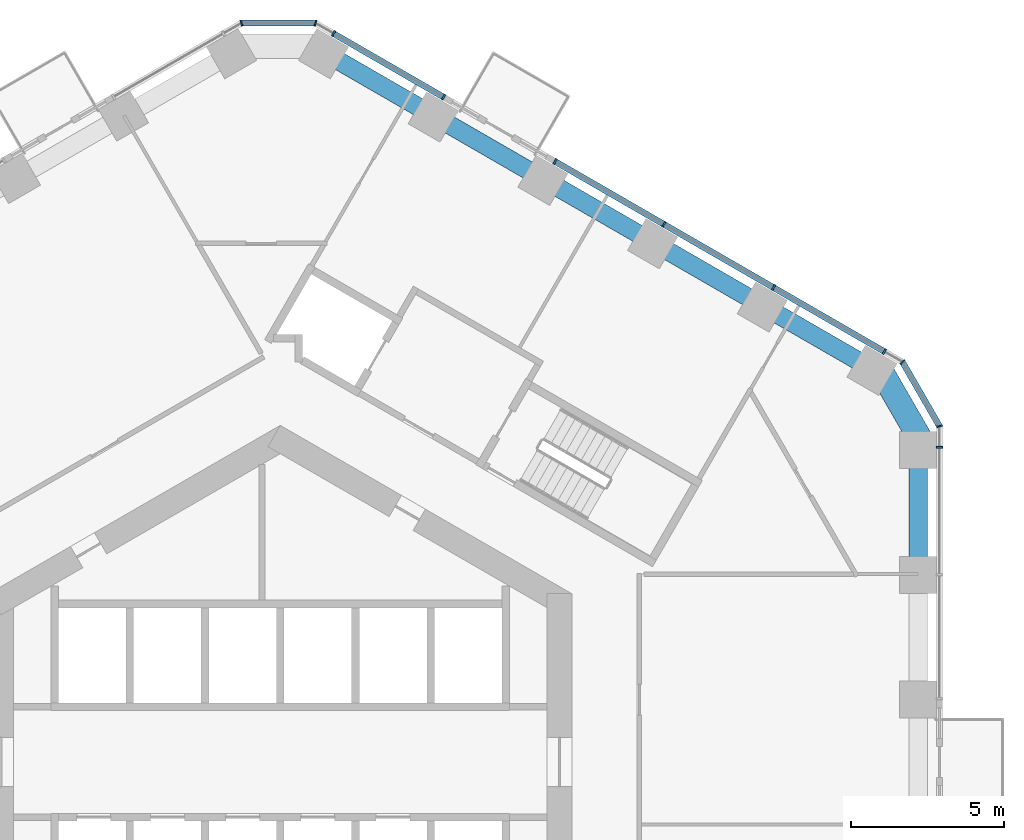
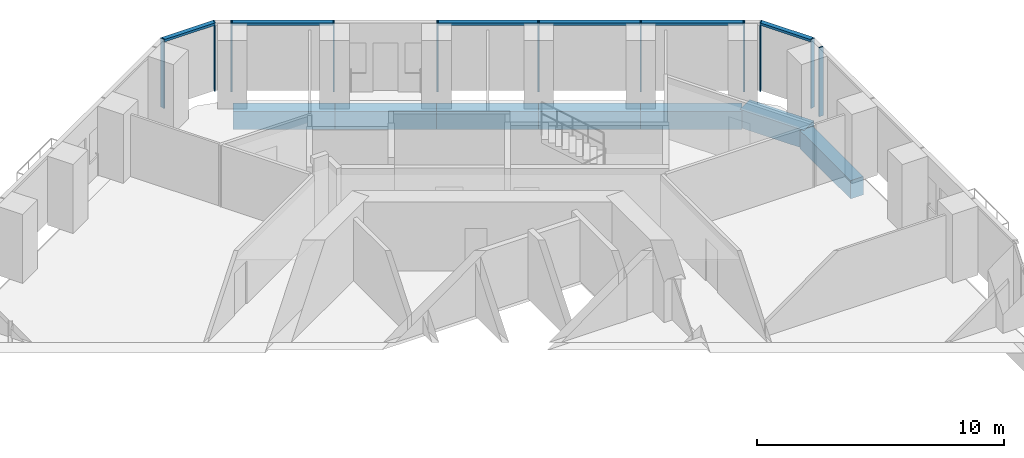
# One storey, part 7 of 20: 15 members, 7 beams, 5 elements without a shape of their own.
"""IFC4 building model written with IfcOpenShell, lengths in metres."""

import ifcopenshell
import ifcopenshell.guid

model = None  # the IFC model being written
_history = None  # IfcOwnerHistory: only IFC2X3 demands one
_inside = {}  # id of a spatial element -> (the spatial element, [elements in it])
_under = {}  # id of a project, library or spatial element -> (it, [spatial elements below it])
_declared = {}  # id of a project -> (the project, [libraries it declares])
_typed = {}  # id of a type object -> (the type object, [elements of that type])
_made_of = {}  # id of a material, layer set ... -> (it, [elements and type objects made of it])


def new_model(schema):
    """Start an empty IFC model of exactly this schema.

    Asked for "IFC4X3", IfcOpenShell would pick the latest addendum, in which some entities
    have other attributes; the version numbers below select the first issue.
    IFC2X3 requires an IfcOwnerHistory on every rooted entity: one is made here for all.
    """
    global model, _history
    if schema == "IFC4X3":
        model = ifcopenshell.file(schema_version=(4, 3, 0, 0))
    else:
        model = ifcopenshell.file(schema=schema)
    _inside.clear()
    _under.clear()
    _declared.clear()
    _typed.clear()
    _made_of.clear()
    _history = None
    if model.schema == "IFC2X3":
        org = make("IfcOrganization", Name="unknown")
        user = make(
            "IfcPersonAndOrganization",
            ThePerson=make("IfcPerson", FamilyName="unknown"),
            TheOrganization=org,
        )
        app = make(
            "IfcApplication",
            ApplicationDeveloper=org,
            Version="unknown",
            ApplicationFullName="unknown",
            ApplicationIdentifier="unknown",
        )
        _history = make(
            "IfcOwnerHistory",
            OwningUser=user,
            OwningApplication=app,
            ChangeAction="ADDED",
            CreationDate=0,
        )
    return model


def make(cls, **values):
    """One entity of the class cls with the attributes given. An attribute that is None is left unset."""
    return model.create_entity(
        cls, **{name: value for name, value in values.items() if value is not None}
    )


def rooted(cls, **values):
    """An entity with a GlobalId (a new one), such as an element, a storey or a relation."""
    return make(cls, GlobalId=ifcopenshell.guid.new(), OwnerHistory=_history, **values)


def si_unit(unit_type, name, prefix=None):
    """IfcSIUnit, for example si_unit("LENGTHUNIT", "METRE", prefix="MILLI")."""
    return make("IfcSIUnit", UnitType=unit_type, Prefix=prefix, Name=name)


def assignment(units):
    """IfcUnitAssignment: the units of a project."""
    return None if units is None else make("IfcUnitAssignment", Units=units)


def point(xyz):
    """IfcCartesianPoint."""
    return None if xyz is None else make("IfcCartesianPoint", Coordinates=xyz)


def direction(xyz):
    """IfcDirection."""
    return None if xyz is None else make("IfcDirection", DirectionRatios=xyz)


def frame(location, z_axis=None, x_axis=None):
    """IfcAxis2Placement3D, a coordinate frame: its origin and axes. An axis left out is left unset."""
    return make(
        "IfcAxis2Placement3D",
        Location=point(location),
        Axis=direction(z_axis),
        RefDirection=direction(x_axis),
    )


def frame_2d(location, x_axis=None):
    """IfcAxis2Placement2D, a coordinate frame in the plane: its origin and x axis."""
    return make(
        "IfcAxis2Placement2D", Location=point(location), RefDirection=direction(x_axis)
    )


def origin():
    """The frame at (0, 0, 0) with its axes left unset."""
    return frame((0.0, 0.0, 0.0))


def origin_2d():
    """The frame at (0, 0) in the plane with its x axis left unset."""
    return frame_2d((0.0, 0.0))


def place(relative_to, where):
    """IfcLocalPlacement: puts the frame where relative to a parent placement (None: the world)."""
    return make(
        "IfcLocalPlacement", PlacementRelTo=relative_to, RelativePlacement=where
    )


def context(
    kind, dimensions, precision=None, world=None, true_north=None, identifier=None
):
    """IfcGeometricRepresentationContext, for example the 3D "Model" context."""
    return make(
        "IfcGeometricRepresentationContext",
        ContextIdentifier=identifier,
        ContextType=kind,
        CoordinateSpaceDimension=dimensions,
        Precision=precision,
        WorldCoordinateSystem=world,
        TrueNorth=true_north,
    )


def subcontext(parent, identifier, kind, view, scale=None):
    """IfcGeometricRepresentationSubContext, for example "Body" below "Model"."""
    return make(
        "IfcGeometricRepresentationSubContext",
        ContextIdentifier=identifier,
        ContextType=kind,
        ParentContext=parent,
        TargetScale=scale,
        TargetView=view,
    )


def project(units=None, contexts=None):
    """IfcProject with its units and contexts."""
    return rooted(
        "IfcProject",
        Name="project",
        RepresentationContexts=contexts,
        UnitsInContext=assignment(units),
    )


def spatial(cls, under=None, at=None, **own):
    """A site, building, storey or space (cls), placed at a placement, below another one or the project."""
    s = rooted(cls, ObjectPlacement=at, **own)
    if under is not None:
        _under.setdefault(under.id(), (under, []))[1].append(s)
    return s


def profile(cls, at=None, kind="AREA", **sizes):
    """A parametric profile (cls). Its sizes go by their IFC names, for example OverallWidth=200.0."""
    return make(cls, ProfileType=kind, Position=at, **sizes)


def rectangle(**sizes):
    """IfcRectangleProfileDef."""
    return profile("IfcRectangleProfileDef", **sizes)


def extrude(swept, where, along, depth):
    """IfcExtrudedAreaSolid: the profile swept, set in the frame where, extruded along a direction by depth."""
    return make(
        "IfcExtrudedAreaSolid",
        SweptArea=swept,
        Position=where,
        ExtrudedDirection=direction(along),
        Depth=depth,
    )


def shape(context_of_items, identifier, shape_type, items):
    """IfcShapeRepresentation: the items that make up one representation, for example the "Body"."""
    return make(
        "IfcShapeRepresentation",
        ContextOfItems=context_of_items,
        RepresentationIdentifier=identifier,
        RepresentationType=shape_type,
        Items=items,
    )


def material(Name=None, Category=None):
    """IfcMaterial."""
    return make("IfcMaterial", Name=Name, Category=Category)


def layer(
    of_material, thickness, ventilated=None, Name=None, Category=None, Priority=None
):
    """IfcMaterialLayer: one layer of a wall or slab, of a material (None: an air gap)."""
    return make(
        "IfcMaterialLayer",
        Material=of_material,
        LayerThickness=thickness,
        IsVentilated=ventilated,
        Name=Name,
        Category=Category,
        Priority=Priority,
    )


def layer_set(layers, Name=None):
    """IfcMaterialLayerSet."""
    return make("IfcMaterialLayerSet", MaterialLayers=layers, LayerSetName=Name)


def material_profile(
    of_material, cross_section, Name=None, Category=None, Priority=None
):
    """IfcMaterialProfile: a cross section and its material."""
    return make(
        "IfcMaterialProfile",
        Name=Name,
        Material=of_material,
        Profile=cross_section,
        Priority=Priority,
        Category=Category,
    )


def profile_set(profiles, Name=None, composite=None):
    """IfcMaterialProfileSet."""
    return make(
        "IfcMaterialProfileSet",
        Name=Name,
        MaterialProfiles=profiles,
        CompositeProfile=composite,
    )


def made_of(thing, what):
    """Note that an element or type object is made of a material, layer set ...; save() writes the relation."""
    if what is not None:
        _made_of.setdefault(what.id(), (what, []))[1].append(thing)
    return thing


def type_object(cls, material=None, **own):
    """A type object (cls), such as IfcWallType, which elements share."""
    return made_of(rooted(cls, **own), material)


def element(
    cls,
    number,
    at=None,
    inside=None,
    cuts=None,
    type_object=None,
    material=None,
    context=None,
    identifier="Body",
    shape_type=None,
    held_by="IfcProductDefinitionShape",
    body=None,
    shapes=None,
    **own,
):
    """One element of the class cls, such as IfcWall. Its Tag is "e" and its number.

    at: its placement. inside: the storey or other place that contains it. cuts: it is an
    opening in that element (IfcRelVoidsElement). A single representation is given by context,
    identifier, shape_type and body (its items); several are given by shapes. held_by: the class
    of the entity that holds the representations. save() writes the other relations.
    """
    e = rooted(cls, Tag="e%d" % number, ObjectPlacement=at, **own)
    if body is not None:
        shapes = [shape(context, identifier, shape_type, body)]
    if shapes is not None:
        e.Representation = make(held_by, Representations=shapes)
    if inside is not None:
        _inside.setdefault(inside.id(), (inside, []))[1].append(e)
    if cuts is not None:
        rooted(
            "IfcRelVoidsElement", RelatingBuildingElement=cuts, RelatedOpeningElement=e
        )
    if type_object is not None:
        _typed.setdefault(type_object.id(), (type_object, []))[1].append(e)
    return made_of(e, material)


def aggregate(whole, parts):
    """IfcRelAggregates: a whole, such as a stair, and the parts it consists of."""
    return rooted("IfcRelAggregates", RelatingObject=whole, RelatedObjects=parts)


def save(model, path):
    """Write the relations noted so far, then the file.

    IfcRelAggregates (storeys below a building ...), IfcRelContainedInSpatialStructure (elements
    in a storey), IfcRelDefinesByType, IfcRelAssociatesMaterial and IfcRelDeclares: one each for
    every whole, place, type object, material and project.
    """
    for whole, parts in _under.values():
        aggregate(whole, parts)
    for where, things in _inside.values():
        rooted(
            "IfcRelContainedInSpatialStructure",
            RelatedElements=things,
            RelatingStructure=where,
        )
    for kind, things in _typed.values():
        rooted("IfcRelDefinesByType", RelatedObjects=things, RelatingType=kind)
    for what, things in _made_of.values():
        rooted("IfcRelAssociatesMaterial", RelatedObjects=things, RelatingMaterial=what)
    for by, libraries in _declared.values():
        rooted("IfcRelDeclares", RelatingContext=by, RelatedDefinitions=libraries)
    model.write(path)


model = new_model("IFC4")

# Units and contexts
model_context = context("Model", 3, precision=1e-05, world=origin(), true_north=direction((0.0, 1.0)))
body_context = subcontext(model_context, "Body", "Model", "MODEL_VIEW")
ifc_project = project(units=[si_unit("LENGTHUNIT", "METRE"), si_unit("AREAUNIT", "SQUARE_METRE"), si_unit("VOLUMEUNIT", "CUBIC_METRE"), si_unit("PLANEANGLEUNIT", "RADIAN"), si_unit("MASSUNIT", "GRAM", prefix="KILO")], contexts=[model_context])

# Site, building, storey
site_placement = place(None, origin())
site = spatial("IfcSite", under=ifc_project, at=site_placement, CompositionType="ELEMENT")
building_placement = place(site_placement, origin())
building = spatial("IfcBuilding", under=site, at=building_placement, Name="Ayvan Gate Tower", CompositionType="ELEMENT")
storey_placement = place(building_placement, frame((0.0, 0.0, 28.89990234375)))
storey = spatial("IfcBuildingStorey", under=building, at=storey_placement, Name="L06", CompositionType="ELEMENT", Elevation=28.89990234375)

# Beams
ifc_material_1 = material(Name="Concrete C40/50", Category="concrete")
ifc_material_profile_1 = material_profile(ifc_material_1, rectangle(XDim=0.800048828125, YDim=0.89990234375, at=origin_2d()), Name="RC 800x900")
ifc_profile_set_1 = profile_set([ifc_material_profile_1], Name="Concrete C40/50")
beam_type_1 = type_object("IfcBeamType", Name="Corner spandrel beam RC 800x900 C40/50", PredefinedType="BEAM", material=ifc_profile_set_1)
beam_1_placement = place(storey_placement, frame((20.97509765625, 10.325439453125, -0.7998046875), z_axis=(-0.499990139034, 0.866031096941, 0.0), x_axis=(-0.866031096941, -0.499990139034, 0.0)))
element("IfcBeam", 1, at=beam_1_placement, inside=storey, type_object=beam_type_1, Name="SB-L06-6", PredefinedType="BEAM", context=body_context, shape_type="SweptSolid", body=[
    extrude(rectangle(XDim=0.800048828125, YDim=0.89990234375, at=origin_2d()), origin(), (0.0, 0.0, 1.0), 3.0),
])
ifc_material_profile_2 = material_profile(ifc_material_1, rectangle(XDim=0.60009765625, YDim=0.89990234375, at=origin_2d()), Name="RC 600x900")
ifc_profile_set_2 = profile_set([ifc_material_profile_2], Name="Concrete C40/50")
beam_type_2 = type_object("IfcBeamType", Name="Spandrel beam RC 600x900 C40/50", PredefinedType="BEAM", material=ifc_profile_set_2)
beam_2_placement = place(storey_placement, frame((20.78466796875, 6.12939453125, -0.7998046875), z_axis=(0.0, 1.0, 0.0), x_axis=(-1.0, 0.0, 0.0)))
element("IfcBeam", 2, at=beam_2_placement, inside=storey, type_object=beam_type_2, Name="SB-L06-5", PredefinedType="BEAM", context=body_context, shape_type="SweptSolid", body=[
    extrude(rectangle(XDim=0.60009765625, YDim=0.89990234375, at=origin_2d()), origin(), (0.0, 0.0, 1.0), 4.086181640625),
])
beam_3_placement = place(storey_placement, frame((19.28466796875, 12.813720703125, -0.7998046875), z_axis=(-0.866034527326, 0.49998419723, 0.0), x_axis=(-0.49998419723, -0.866034527326, 0.0)))
element("IfcBeam", 3, at=beam_3_placement, inside=storey, type_object=beam_type_2, Name="SB-L06-7", PredefinedType="BEAM", context=body_context, shape_type="SweptSolid", body=[
    extrude(rectangle(XDim=0.60009765625, YDim=0.89990234375, at=origin_2d()), origin(), (0.0, 0.0, 1.0), 4.117919921875),
])
beam_4_placement = place(storey_placement, frame((15.718505859375, 14.87255859375, -0.7998046875), z_axis=(-0.866019704869, 0.500009870681, 0.0), x_axis=(-0.500009870681, -0.866019704869, 0.0)))
element("IfcBeam", 4, at=beam_4_placement, inside=storey, type_object=beam_type_2, Name="SB-L06-8", PredefinedType="BEAM", context=body_context, shape_type="SweptSolid", body=[
    extrude(rectangle(XDim=0.60009765625, YDim=0.89990234375, at=origin_2d()), origin(), (0.0, 0.0, 1.0), 4.11767578125),
])
beam_5_placement = place(storey_placement, frame((12.152587890625, 16.931396484375, -0.7998046875), z_axis=(-0.866045379038, 0.49996540025, 0.0), x_axis=(-0.49996540025, -0.866045379038, 0.0)))
element("IfcBeam", 5, at=beam_5_placement, inside=storey, type_object=beam_type_2, Name="SB-L06-9", PredefinedType="BEAM", context=body_context, shape_type="SweptSolid", body=[
    extrude(rectangle(XDim=0.60009765625, YDim=0.89990234375, at=origin_2d()), origin(), (0.0, 0.0, 1.0), 4.117431640625),
])
beam_6_placement = place(storey_placement, frame((8.586669921875, 18.989990234375, -0.7998046875), z_axis=(-0.866034527326, 0.49998419723, 0.0), x_axis=(-0.49998419723, -0.866034527326, 0.0)))
element("IfcBeam", 6, at=beam_6_placement, inside=storey, type_object=beam_type_2, Name="SB-L06-10", PredefinedType="BEAM", context=body_context, shape_type="SweptSolid", body=[
    extrude(rectangle(XDim=0.60009765625, YDim=0.89990234375, at=origin_2d()), origin(), (0.0, 0.0, 1.0), 4.117919921875),
])
beam_7_placement = place(storey_placement, frame((5.0205078125, 21.048828125, -0.7998046875), z_axis=(-0.866019704869, 0.500009870681, 0.0), x_axis=(-0.500009870681, -0.866019704869, 0.0)))
element("IfcBeam", 7, at=beam_7_placement, inside=storey, type_object=beam_type_2, Name="SB-L06-11", PredefinedType="BEAM", context=body_context, shape_type="SweptSolid", body=[
    extrude(rectangle(XDim=0.60009765625, YDim=0.89990234375, at=origin_2d()), origin(), (0.0, 0.0, 1.0), 4.11767578125),
])

# Curtain wall, member
ifc_material_2 = material(Name="Bronze anodised aluminium", Category="aluminium")
ifc_layer_1 = layer(ifc_material_2, 0.199951171875)
ifc_layer_set_1 = layer_set([ifc_layer_1], Name="Bronze anodised aluminium")
curtain_wall_type_1 = type_object("IfcCurtainWallType", Name="Stick curtain wall CW-1", PredefinedType="NOTDEFINED", material=ifc_layer_set_1)
curtain_wall_1_placement = place(storey_placement, origin())
curtain_wall_1 = element("IfcCurtainWall", 8, at=curtain_wall_1_placement, inside=storey, type_object=curtain_wall_type_1, Name="Stick curtain wall CW-1 L06", PredefinedType="NOTDEFINED")
ifc_material_profile_3 = material_profile(ifc_material_2, rectangle(XDim=0.199951171875, YDim=0.06005859375, at=origin_2d()), Name="Stick curtain wall CW-1 mullion 200 x 60")
ifc_profile_set_3 = profile_set([ifc_material_profile_3], Name="Bronze anodised aluminium")
member_type_1 = type_object("IfcMemberType", Name="Stick curtain wall CW-1 mullion 200 x 60", PredefinedType="MULLION", material=ifc_profile_set_3)
member_1_placement = place(storey_placement, frame((21.484619140625, 10.261474609375, 0.0), z_axis=(0.0, 0.0, 1.0), x_axis=(1.0, 0.0, 0.0)))
member_1 = element("IfcMember", 9, at=member_1_placement, type_object=member_type_1, Name="CW-1 mullion 3", PredefinedType="MULLION", context=body_context, shape_type="SweptSolid", body=[
    extrude(rectangle(XDim=0.199951171875, YDim=0.06005859375, at=origin_2d()), origin(), (0.0, 0.0, 1.0), 3.400146484375),
])
aggregate(curtain_wall_1, [member_1])

# Curtain wall, members
curtain_wall_2_placement = place(storey_placement, origin())
curtain_wall_2 = element("IfcCurtainWall", 10, at=curtain_wall_2_placement, inside=storey, type_object=curtain_wall_type_1, Name="Stick curtain wall CW-1 L06", PredefinedType="NOTDEFINED")
member_2_placement = place(storey_placement, frame((19.6884765625, 13.37255859375, 0.0), z_axis=(0.0, 0.0, 1.0), x_axis=(0.5, 0.866025403784, 0.0)))
member_2 = element("IfcMember", 11, at=member_2_placement, type_object=member_type_1, Name="CW-1 mullion 1", PredefinedType="MULLION", context=body_context, shape_type="SweptSolid", body=[
    extrude(rectangle(XDim=0.199951171875, YDim=0.06005859375, at=origin_2d()), origin(), (0.0, 0.0, 1.0), 3.400146484375),
])
member_3_placement = place(storey_placement, frame((16.074462890625, 15.459228515625, 0.0), z_axis=(0.0, 0.0, 1.0), x_axis=(0.5, 0.866025403784, 0.0)))
member_3 = element("IfcMember", 12, at=member_3_placement, type_object=member_type_1, Name="CW-1 mullion 2", PredefinedType="MULLION", context=body_context, shape_type="SweptSolid", body=[
    extrude(rectangle(XDim=0.199951171875, YDim=0.06005859375, at=origin_2d()), origin(), (0.0, 0.0, 1.0), 3.400146484375),
])
member_4_placement = place(storey_placement, frame((12.49951171875, 17.523193359375, 0.0), z_axis=(0.0, 0.0, 1.0), x_axis=(0.5, 0.866025403784, 0.0)))
member_4 = element("IfcMember", 13, at=member_4_placement, type_object=member_type_1, Name="CW-1 mullion 3", PredefinedType="MULLION", context=body_context, shape_type="SweptSolid", body=[
    extrude(rectangle(XDim=0.199951171875, YDim=0.06005859375, at=origin_2d()), origin(), (0.0, 0.0, 1.0), 3.400146484375),
])
member_5_placement = place(storey_placement, frame((8.951416015625, 19.571533203125, 0.0), z_axis=(0.0, 0.0, 1.0), x_axis=(0.5, 0.866025403784, 0.0)))
member_5 = element("IfcMember", 14, at=member_5_placement, type_object=member_type_1, Name="CW-1 mullion 4", PredefinedType="MULLION", context=body_context, shape_type="SweptSolid", body=[
    extrude(rectangle(XDim=0.199951171875, YDim=0.06005859375, at=origin_2d()), origin(), (0.0, 0.0, 1.0), 3.400146484375),
])

curtain_wall_3_placement = place(storey_placement, origin())
curtain_wall_3 = element("IfcCurtainWall", 15, at=curtain_wall_3_placement, inside=storey, type_object=curtain_wall_type_1, Name="Stick curtain wall CW-1 L06", PredefinedType="NOTDEFINED")
member_6_placement = place(storey_placement, frame((5.324462890625, 21.66552734375, 0.0), z_axis=(0.0, 0.0, 1.0), x_axis=(0.5, 0.866025403784, 0.0)))
member_6 = element("IfcMember", 16, at=member_6_placement, type_object=member_type_1, Name="CW-1 mullion 1", PredefinedType="MULLION", context=body_context, shape_type="SweptSolid", body=[
    extrude(rectangle(XDim=0.199951171875, YDim=0.06005859375, at=origin_2d()), origin(), (0.0, 0.0, 1.0), 3.400146484375),
])
member_7_placement = place(storey_placement, frame((1.73681640625, 23.737060546875, 0.0), z_axis=(0.0, 0.0, 1.0), x_axis=(0.5, 0.866025403784, 0.0)))
member_7 = element("IfcMember", 17, at=member_7_placement, type_object=member_type_1, Name="CW-1 mullion 2", PredefinedType="MULLION", context=body_context, shape_type="SweptSolid", body=[
    extrude(rectangle(XDim=0.199951171875, YDim=0.06005859375, at=origin_2d()), origin(), (0.0, 0.0, 1.0), 3.400146484375),
])

# Member
ifc_material_profile_4 = material_profile(ifc_material_2, rectangle(XDim=0.199951171875, YDim=0.1201171875, at=origin_2d()), Name="Stick curtain wall CW-1 transom 200 x 120")
ifc_profile_set_4 = profile_set([ifc_material_profile_4], Name="Bronze anodised aluminium")
member_type_2 = type_object("IfcMemberType", Name="Stick curtain wall CW-1 transom 200 x 120", PredefinedType="USERDEFINED", material=ifc_profile_set_4)
member_8_placement = place(storey_placement, frame((19.6884765625, 13.37255859375, 3.340087890625), z_axis=(-0.866027855139, 0.499995754106, 0.0), x_axis=(-0.499995754106, -0.866027855139, 0.0)))
member_8 = element("IfcMember", 18, at=member_8_placement, type_object=member_type_2, Name="CW-1 transom 1", ObjectType="TRANSOM", PredefinedType="USERDEFINED", context=body_context, shape_type="SweptSolid", body=[
    extrude(rectangle(XDim=0.199951171875, YDim=0.1201171875, at=origin_2d()), origin(), (0.0, 0.0, 1.0), 12.39794921875),
])

aggregate(curtain_wall_2, [member_2, member_3, member_4, member_5, member_8])

member_9_placement = place(storey_placement, frame((5.324462890625, 21.66552734375, 3.340087890625), z_axis=(-0.866004023946, 0.500037029138, 0.0), x_axis=(-0.500037029138, -0.866004023946, 0.0)))
member_9 = element("IfcMember", 19, at=member_9_placement, type_object=member_type_2, Name="CW-1 transom 1", ObjectType="TRANSOM", PredefinedType="USERDEFINED", context=body_context, shape_type="SweptSolid", body=[
    extrude(rectangle(XDim=0.199951171875, YDim=0.1201171875, at=origin_2d()), origin(), (0.0, 0.0, 1.0), 4.142822265625),
])

aggregate(curtain_wall_3, [member_6, member_7, member_9])

# Curtain wall, members
ifc_layer_2 = layer(ifc_material_2, 0.199951171875)
ifc_layer_set_2 = layer_set([ifc_layer_2], Name="Bronze anodised aluminium")
curtain_wall_type_2 = type_object("IfcCurtainWallType", Name="Stick curtain wall CW-6", PredefinedType="NOTDEFINED", material=ifc_layer_set_2)
curtain_wall_4_placement = place(storey_placement, origin())
curtain_wall_4 = element("IfcCurtainWall", 20, at=curtain_wall_4_placement, inside=storey, type_object=curtain_wall_type_2, Name="Stick curtain wall CW-6 L06", PredefinedType="NOTDEFINED")
ifc_material_profile_5 = material_profile(ifc_material_2, rectangle(XDim=0.199951171875, YDim=0.050048828125, at=origin_2d()), Name="Stick curtain wall CW-6 mullion 200 x 50")
ifc_profile_set_5 = profile_set([ifc_material_profile_5], Name="Bronze anodised aluminium")
member_type_3 = type_object("IfcMemberType", Name="Stick curtain wall CW-6 mullion 200 x 50", PredefinedType="MULLION", material=ifc_profile_set_5)
member_10_placement = place(storey_placement, frame((21.484619140625, 10.941650390625, 0.0), z_axis=(0.0, 0.0, 1.0), x_axis=(0.965925826289, 0.258819045103, 0.0)))
member_10 = element("IfcMember", 21, at=member_10_placement, type_object=member_type_3, Name="CW-6 mullion 2", PredefinedType="MULLION", context=body_context, shape_type="SweptSolid", body=[
    extrude(rectangle(XDim=0.199951171875, YDim=0.050048828125, at=origin_2d()), origin(), (0.0, 0.0, 1.0), 3.400146484375),
])
member_11_placement = place(storey_placement, frame((20.27734375, 13.03271484375, 0.0), z_axis=(0.0, 0.0, 1.0), x_axis=(0.707106781187, 0.707106781187, 0.0)))
member_11 = element("IfcMember", 22, at=member_11_placement, type_object=member_type_3, Name="CW-6 mullion 3", PredefinedType="MULLION", context=body_context, shape_type="SweptSolid", body=[
    extrude(rectangle(XDim=0.199951171875, YDim=0.050048828125, at=origin_2d()), origin(), (0.0, 0.0, 1.0), 3.400146484375),
])

curtain_wall_5_placement = place(storey_placement, origin())
curtain_wall_5 = element("IfcCurtainWall", 23, at=curtain_wall_5_placement, inside=storey, type_object=curtain_wall_type_2, Name="Stick curtain wall CW-6 L06", PredefinedType="NOTDEFINED")
member_12_placement = place(storey_placement, frame((1.14794921875, 24.076904296875, 0.0), z_axis=(0.0, 0.0, 1.0), x_axis=(0.258819045103, 0.965925826289, 0.0)))
member_12 = element("IfcMember", 24, at=member_12_placement, type_object=member_type_3, Name="CW-6 mullion 2", PredefinedType="MULLION", context=body_context, shape_type="SweptSolid", body=[
    extrude(rectangle(XDim=0.199951171875, YDim=0.050048828125, at=origin_2d()), origin(), (0.0, 0.0, 1.0), 3.400146484375),
])
member_13_placement = place(storey_placement, frame((-1.2666015625, 24.076904296875, 0.0), z_axis=(0.0, 0.0, 1.0), x_axis=(-0.258819045103, 0.965925826289, 0.0)))
member_13 = element("IfcMember", 25, at=member_13_placement, type_object=member_type_3, Name="CW-6 mullion 3", PredefinedType="MULLION", context=body_context, shape_type="SweptSolid", body=[
    extrude(rectangle(XDim=0.199951171875, YDim=0.050048828125, at=origin_2d()), origin(), (0.0, 0.0, 1.0), 3.400146484375),
])

# Member
ifc_material_profile_6 = material_profile(ifc_material_2, rectangle(XDim=0.199951171875, YDim=0.1201171875, at=origin_2d()), Name="Stick curtain wall CW-6 transom 200 x 120")
ifc_profile_set_6 = profile_set([ifc_material_profile_6], Name="Bronze anodised aluminium")
member_type_4 = type_object("IfcMemberType", Name="Stick curtain wall CW-6 transom 200 x 120", PredefinedType="USERDEFINED", material=ifc_profile_set_6)
member_14_placement = place(storey_placement, frame((21.47216796875, 10.963134765625, 3.340087890625), z_axis=(-0.500014398087, 0.866017090885, 0.0), x_axis=(-0.866017090885, -0.500014398087, 0.0)))
member_14 = element("IfcMember", 26, at=member_14_placement, type_object=member_type_4, Name="CW-6 transom 2", ObjectType="TRANSOM", PredefinedType="USERDEFINED", context=body_context, shape_type="SweptSolid", body=[
    extrude(rectangle(XDim=0.199951171875, YDim=0.1201171875, at=origin_2d()), origin(), (0.0, 0.0, 1.0), 2.36474609375),
])

aggregate(curtain_wall_4, [member_10, member_11, member_14])

member_15_placement = place(storey_placement, frame((1.123046875, 24.076904296875, 3.340087890625), z_axis=(-1.0, 0.0, 0.0), x_axis=(0.0, -1.0, 0.0)))
member_15 = element("IfcMember", 27, at=member_15_placement, type_object=member_type_4, Name="CW-6 transom 2", ObjectType="TRANSOM", PredefinedType="USERDEFINED", context=body_context, shape_type="SweptSolid", body=[
    extrude(rectangle(XDim=0.199951171875, YDim=0.1201171875, at=origin_2d()), origin(), (0.0, 0.0, 1.0), 2.36474609375),
])

aggregate(curtain_wall_5, [member_12, member_13, member_15])

save(model, "model.ifc")
